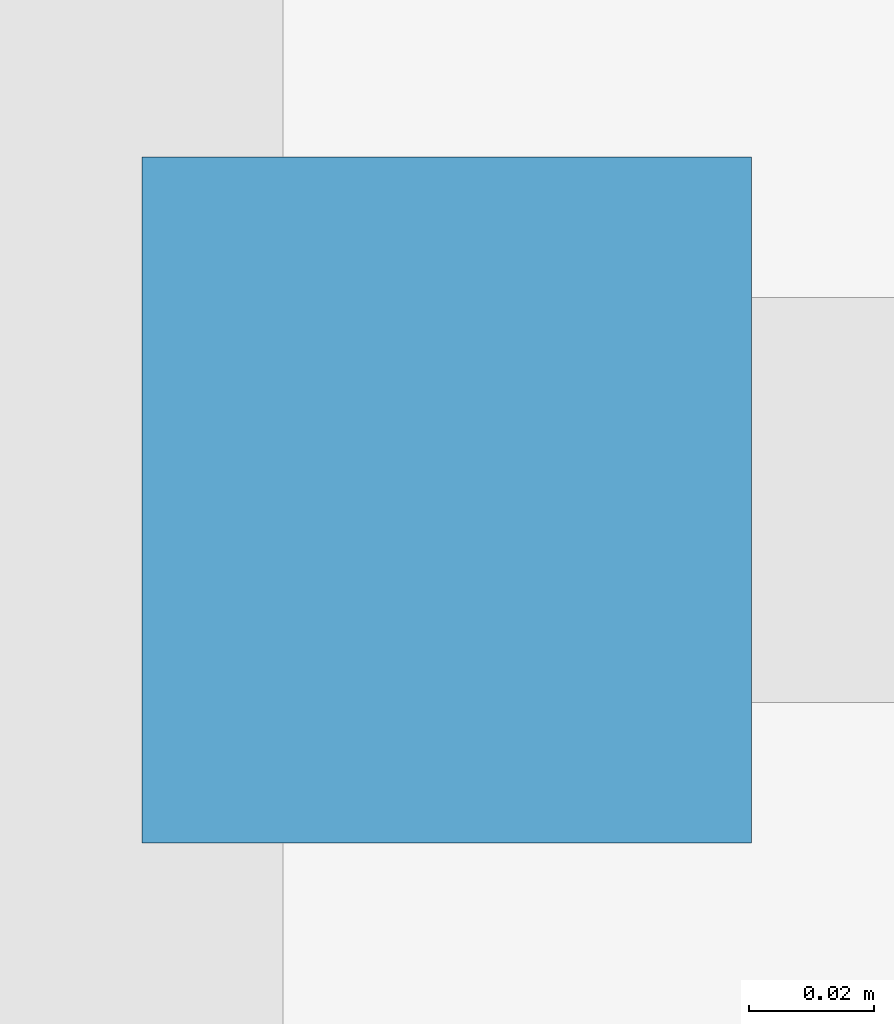
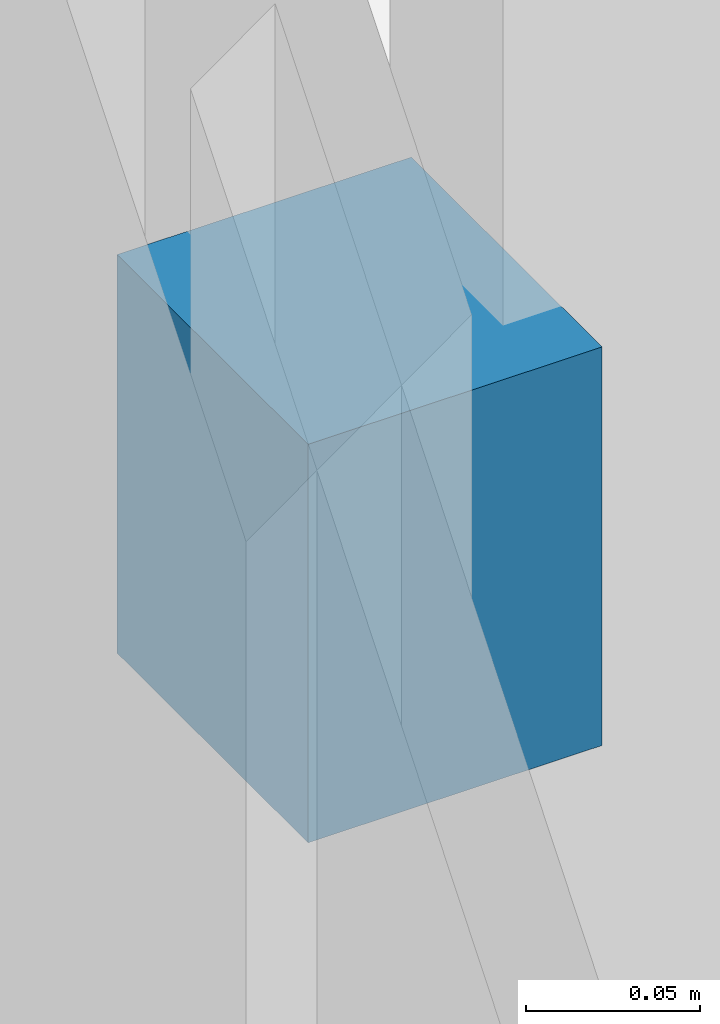
# One storey, part 18 of 28: 1 discrete accessory.
"""IFC4 building model written with IfcOpenShell, lengths in metres."""

from ifc_helpers import new_model, si_unit, direction, frame, origin, place, context, subcontext, project, spatial, polyline, outline, extrude, material, type_object, element, save


model = new_model("IFC4")

# Units and contexts
model_context = context("Model", 3, precision=1e-05, world=origin(), true_north=direction((0.0, 1.0)))
body_context = subcontext(model_context, "Body", "Model", "MODEL_VIEW")
ifc_project = project(units=[si_unit("LENGTHUNIT", "METRE"), si_unit("AREAUNIT", "SQUARE_METRE"), si_unit("VOLUMEUNIT", "CUBIC_METRE"), si_unit("PLANEANGLEUNIT", "RADIAN"), si_unit("MASSUNIT", "GRAM", prefix="KILO")], contexts=[model_context])

# Site, building, storey
site_placement = place(None, origin())
site = spatial("IfcSite", under=ifc_project, at=site_placement, CompositionType="ELEMENT")
building_placement = place(site_placement, origin())
building = spatial("IfcBuilding", under=site, at=building_placement, Name="Qalmaran Belvedere Hotel", CompositionType="ELEMENT")
storey_placement = place(building_placement, frame((0.0, 0.0, 10.0)))
storey = spatial("IfcBuildingStorey", under=building, at=storey_placement, Name="L02", CompositionType="ELEMENT", Elevation=10.0)

# Discrete accessory
ifc_material = material(Name="Stainless Steel 1.4401", Category="steel")
discrete_accessory_type = type_object("IfcDiscreteAccessoryType", Name="BRK-FIN-SS316", PredefinedType="BRACKET", material=ifc_material)
discrete_accessory_placement = place(storey_placement, frame((0.0, 0.0, 2.10009765625)))
element("IfcDiscreteAccessory", 1, at=discrete_accessory_placement, inside=storey, type_object=discrete_accessory_type, Name="L02 Fin Bracket 5", PredefinedType="BRACKET", context=body_context, shape_type="SweptSolid", body=[
    extrude(outline(polyline([(72.794921875, 41.715087890625), (72.892578125, 41.715087890625), (72.892578125, 41.824951171875), (72.794921875, 41.824951171875), (72.794921875, 41.715087890625)])), origin(), (0.0, 0.0, 1.0), 0.139892578125),
])

save(model, "model.ifc")
